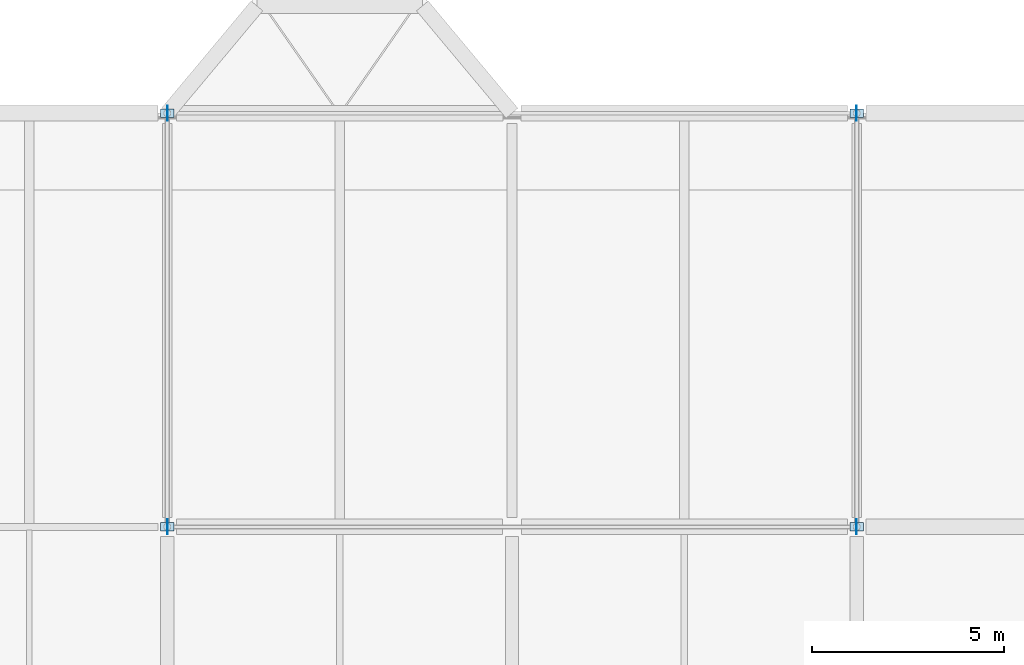
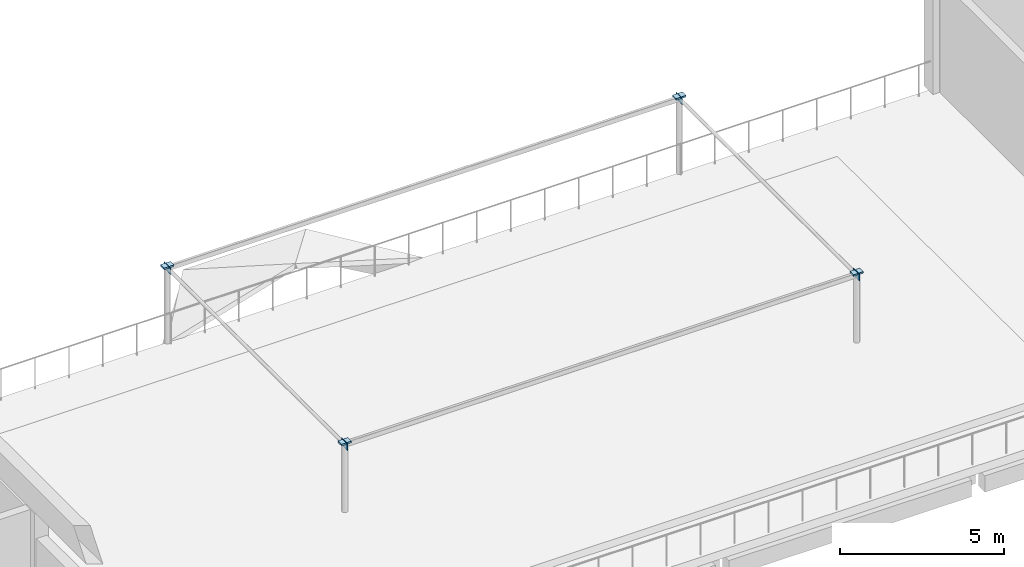
# One storey, part 23 of 33: 8 plates.
"""IFC4 building model written with IfcOpenShell, lengths in metres."""

from ifc_helpers import new_model, si_unit, direction, frame, origin, origin_2d, place, context, subcontext, project, spatial, rectangle, extrude, material, layer, layer_set, type_object, element, save


model = new_model("IFC4")

# Units and contexts
model_context = context("Model", 3, precision=1e-05, world=origin(), true_north=direction((0.0, 1.0)))
body_context = subcontext(model_context, "Body", "Model", "MODEL_VIEW")
ifc_project = project(units=[si_unit("LENGTHUNIT", "METRE"), si_unit("AREAUNIT", "SQUARE_METRE"), si_unit("VOLUMEUNIT", "CUBIC_METRE"), si_unit("PLANEANGLEUNIT", "RADIAN"), si_unit("MASSUNIT", "GRAM", prefix="KILO")], contexts=[model_context])

# Site, building, storey
site_placement = place(None, origin())
site = spatial("IfcSite", under=ifc_project, at=site_placement, CompositionType="ELEMENT")
building_placement = place(site_placement, origin())
building = spatial("IfcBuilding", under=site, at=building_placement, Name="Lusvemor Sports Hall", CompositionType="ELEMENT")
storey_placement = place(building_placement, frame((0.0, 0.0, 19.199951171875)))
storey = spatial("IfcBuildingStorey", under=building, at=storey_placement, Name="L04", CompositionType="ELEMENT", Elevation=19.199951171875)

# Plates
ifc_material_1 = material(Name="Steel S355", Category="steel")
ifc_layer_1 = layer(ifc_material_1, 0.013916015625)
ifc_layer_set_1 = layer_set([ifc_layer_1], Name="Steel S355")
plate_type_1 = type_object("IfcPlateType", Name="GUSSET_CANOPY_D", PredefinedType="USERDEFINED", material=ifc_layer_set_1)
for number, where, z_axis, x_axis, name in (
    (1, (75.60009765625, 104.39990234375, 2.635009765625), (0.0, 0.0, 1.0), (1.0, 0.0, 0.0), "Pergola Rafter End Cap PERG-L04-B-1A"),
    (2, (93.60009765625, 104.39990234375, 2.635009765625), (0.0, 0.0, 1.0), (1.0, 0.0, 0.0), "Pergola Rafter End Cap PERG-L04-B-1B"),
    (3, (75.60009765625, 115.199951171875, 2.635009765625), (0.0, 0.0, 1.0), (1.0, 0.0, 0.0), "Pergola Rafter End Cap PERG-L04-B-2A"),
    (4, (93.60009765625, 115.199951171875, 2.635009765625), (0.0, 0.0, 1.0), (1.0, 0.0, 0.0), "Pergola Rafter End Cap PERG-L04-B-2B"),
):
    element("IfcPlate", number, at=place(storey_placement, frame(where, z_axis=z_axis, x_axis=x_axis)), inside=storey, type_object=plate_type_1, Name=name, ObjectType="GUSSET_PLATE", PredefinedType="USERDEFINED", context=body_context, shape_type="SweptSolid", body=[
        extrude(rectangle(XDim=0.013916015625, YDim=0.389892578125, at=origin_2d()), origin(), (0.0, 0.0, 1.0), 0.25),
    ])
ifc_material_2 = material(Name="Steel S355", Category="steel")
ifc_layer_2 = layer(ifc_material_2, 0.06005859375)
ifc_layer_set_2 = layer_set([ifc_layer_2], Name="Steel S355")
plate_type_2 = type_object("IfcPlateType", Name="GUSSET_TIE_F", PredefinedType="USERDEFINED", material=ifc_layer_set_2)
for number, where, z_axis, x_axis, name in (
    (5, (75.60009765625, 104.39990234375, 2.820068359375), (0.0, 0.0, 1.0), (1.0, 0.0, 0.0), "Pergola Post Cap PERG-L04-B-1A"),
    (6, (93.60009765625, 104.39990234375, 2.820068359375), (0.0, 0.0, 1.0), (1.0, 0.0, 0.0), "Pergola Post Cap PERG-L04-B-1B"),
    (7, (75.60009765625, 115.199951171875, 2.820068359375), (0.0, 0.0, 1.0), (1.0, 0.0, 0.0), "Pergola Post Cap PERG-L04-B-2A"),
    (8, (93.60009765625, 115.199951171875, 2.820068359375), (0.0, 0.0, 1.0), (1.0, 0.0, 0.0), "Pergola Post Cap PERG-L04-B-2B"),
):
    element("IfcPlate", number, at=place(storey_placement, frame(where, z_axis=z_axis, x_axis=x_axis)), inside=storey, type_object=plate_type_2, Name=name, ObjectType="GUSSET_PLATE", PredefinedType="USERDEFINED", context=body_context, shape_type="SweptSolid", body=[
        extrude(rectangle(XDim=0.35009765625, YDim=0.219970703125, at=origin_2d()), origin(), (0.0, 0.0, 1.0), 0.06005859375),
    ])

save(model, "model.ifc")
